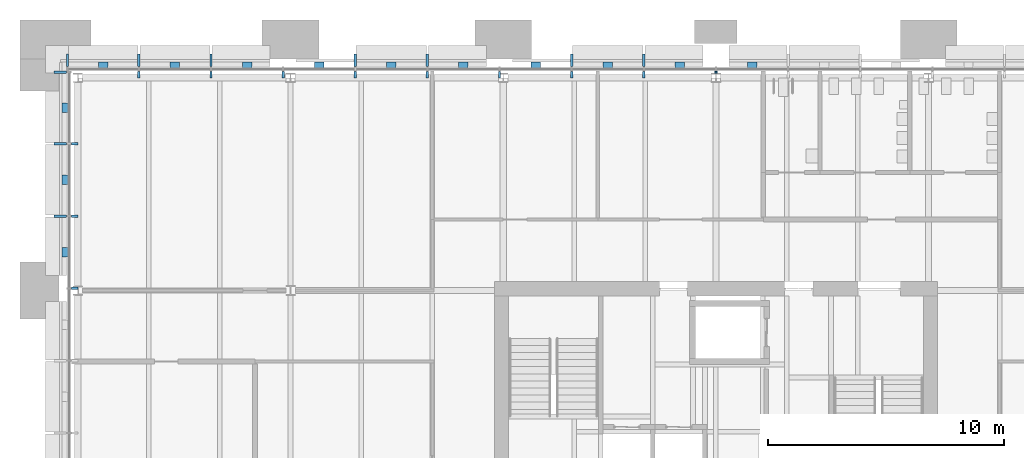
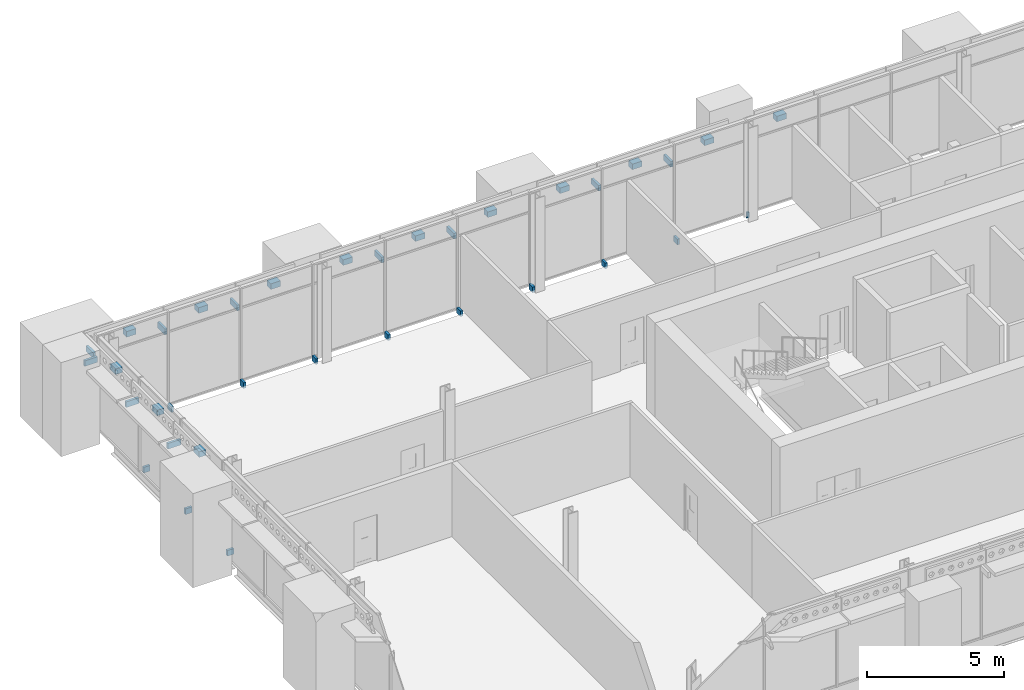
# One storey, part 35 of 54: 35 discrete accessories.
"""IFC4 building model written with IfcOpenShell, lengths in metres."""

from ifc_helpers import new_model, si_unit, direction, frame, origin, origin_2d, place, context, subcontext, project, spatial, rectangle, extrude, material, type_object, element, save


model = new_model("IFC4")

# Units and contexts
model_context = context("Model", 3, precision=1e-05, world=origin(), true_north=direction((0.0, 1.0)))
body_context = subcontext(model_context, "Body", "Model", "MODEL_VIEW")
ifc_project = project(units=[si_unit("LENGTHUNIT", "METRE"), si_unit("AREAUNIT", "SQUARE_METRE"), si_unit("VOLUMEUNIT", "CUBIC_METRE"), si_unit("PLANEANGLEUNIT", "RADIAN"), si_unit("MASSUNIT", "GRAM", prefix="KILO")], contexts=[model_context])

# Site, building, storey
site_placement = place(None, origin())
site = spatial("IfcSite", under=ifc_project, at=site_placement, CompositionType="ELEMENT")
building_placement = place(site_placement, origin())
building = spatial("IfcBuilding", under=site, at=building_placement, Name="Baradari Gate Terminus", CompositionType="ELEMENT")
storey_placement = place(building_placement, frame((0.0, 0.0, 15.89990234375)))
storey = spatial("IfcBuildingStorey", under=building, at=storey_placement, Name="L03", CompositionType="ELEMENT", Elevation=15.89990234375)

# Discrete accessories
ifc_material_1 = material(Name="Steel S275", Category="steel")
discrete_accessory_type_1 = type_object("IfcDiscreteAccessoryType", Name="Chhajja bracket BK-3 galvanised steel", PredefinedType="BRACKET", material=ifc_material_1)
for number, where, z_axis, x_axis, name in (
    (1, (8.5625, 144.739990234375, 3.08251953125), (0.0, 0.0, 1.0), (0.0, 1.0, 0.0), "Chhajja bracket BK-3 L03/TN mullion 1"),
    (2, (11.582275390625, 144.739990234375, 3.08251953125), (0.0, 0.0, 1.0), (0.0, 1.0, 0.0), "Chhajja bracket BK-3 L03/TN mullion 2"),
    (3, (14.634521484375, 144.739990234375, 3.08251953125), (0.0, 0.0, 1.0), (0.0, 1.0, 0.0), "Chhajja bracket BK-3 L03/TN mullion 3"),
    (4, (20.73876953125, 144.739990234375, 3.08251953125), (0.0, 0.0, 1.0), (0.0, 1.0, 0.0), "Chhajja bracket BK-3 L03/TN mullion 5"),
    (5, (23.791015625, 144.739990234375, 3.08251953125), (0.0, 0.0, 1.0), (0.0, 1.0, 0.0), "Chhajja bracket BK-3 L03/TN mullion 6"),
    (6, (29.8955078125, 144.739990234375, 3.08251953125), (0.0, 0.0, 1.0), (0.0, 1.0, 0.0), "Chhajja bracket BK-3 L03/TN mullion 8"),
    (7, (32.94775390625, 144.739990234375, 3.08251953125), (0.0, 0.0, 1.0), (0.0, 1.0, 0.0), "Chhajja bracket BK-3 L03/TN mullion 9"),
    (8, (8.260009765625, 138.14990234375, 3.08251953125), (0.0, 0.0, 1.0), (-1.0, 0.0, 0.0), "Chhajja bracket BK-3 L03/TW mullion 8"),
    (9, (8.260009765625, 141.2099609375, 3.08251953125), (0.0, 0.0, 1.0), (-1.0, 0.0, 0.0), "Chhajja bracket BK-3 L03/TW mullion 9"),
    (10, (8.260009765625, 144.237548828125, 3.08251953125), (0.0, 0.0, 1.0), (-1.0, 0.0, 0.0), "Chhajja bracket BK-3 L03/TW mullion 10"),
):
    element("IfcDiscreteAccessory", number, at=place(storey_placement, frame(where, z_axis=z_axis, x_axis=x_axis)), inside=storey, type_object=discrete_accessory_type_1, Name=name, PredefinedType="BRACKET", context=body_context, shape_type="SweptSolid", body=[
        extrude(rectangle(XDim=0.5400390625, YDim=0.10009765625, at=origin_2d()), origin(), (0.0, 0.0, 1.0), 0.25),
    ])
ifc_material_2 = material(Name="Aluminium 6063-T6", Category="aluminium")
discrete_accessory_type_2 = type_object("IfcDiscreteAccessoryType", Name="Curtain wall bracket BK-1 100x250", PredefinedType="BRACKET", material=ifc_material_2)
for number, where, z_axis, x_axis, name in (
    (11, (11.582275390625, 144.135009765625, -0.099853515625), (0.0, 0.0, 1.0), (0.0, 1.0, 0.0), "Curtain wall bracket BK-1 L03/TN mullion 2"),
    (12, (14.634521484375, 144.135009765625, -0.099853515625), (0.0, 0.0, 1.0), (0.0, 1.0, 0.0), "Curtain wall bracket BK-1 L03/TN mullion 3"),
    (13, (17.686767578125, 144.135009765625, -0.099853515625), (0.0, 0.0, 1.0), (0.0, 1.0, 0.0), "Curtain wall bracket BK-1 L03/TN mullion 4"),
    (14, (20.73876953125, 144.135009765625, -0.099853515625), (0.0, 0.0, 1.0), (0.0, 1.0, 0.0), "Curtain wall bracket BK-1 L03/TN mullion 5"),
    (15, (23.791015625, 144.135009765625, -0.099853515625), (0.0, 0.0, 1.0), (0.0, 1.0, 0.0), "Curtain wall bracket BK-1 L03/TN mullion 6"),
    (16, (26.84326171875, 144.135009765625, -0.099853515625), (0.0, 0.0, 1.0), (0.0, 1.0, 0.0), "Curtain wall bracket BK-1 L03/TN mullion 7"),
    (17, (29.8955078125, 144.135009765625, -0.099853515625), (0.0, 0.0, 1.0), (0.0, 1.0, 0.0), "Curtain wall bracket BK-1 L03/TN mullion 8"),
    (18, (32.94775390625, 144.135009765625, -0.099853515625), (0.0, 0.0, 1.0), (0.0, 1.0, 0.0), "Curtain wall bracket BK-1 L03/TN mullion 9"),
):
    element("IfcDiscreteAccessory", number, at=place(storey_placement, frame(where, z_axis=z_axis, x_axis=x_axis)), inside=storey, type_object=discrete_accessory_type_2, Name=name, PredefinedType="BRACKET", context=body_context, shape_type="SweptSolid", body=[
        extrude(rectangle(XDim=0.27001953125, YDim=0.10009765625, at=origin_2d()), origin(), (0.0, 0.0, 1.0), 0.25),
    ])
discrete_accessory_placement = place(storey_placement, frame((36.0, 144.230224609375, -0.099853515625), z_axis=(0.0, 0.0, 1.0), x_axis=(0.0, 1.0, 0.0)))
element("IfcDiscreteAccessory", 19, at=discrete_accessory_placement, inside=storey, type_object=discrete_accessory_type_2, Name="Curtain wall bracket BK-1 L03/TN mullion 10", PredefinedType="BRACKET", context=body_context, shape_type="SweptSolid", body=[
    extrude(rectangle(XDim=0.07958984375, YDim=0.10009765625, at=origin_2d()), origin(), (0.0, 0.0, 1.0), 0.25),
])
for number, where, z_axis, x_axis, name in (
    (20, (8.864990234375, 135.090087890625, -0.099853515625), (0.0, 0.0, 1.0), (-1.0, 0.0, 0.0), "Curtain wall bracket BK-1 L03/TW mullion 7"),
    (21, (8.864990234375, 138.14990234375, -0.099853515625), (0.0, 0.0, 1.0), (-1.0, 0.0, 0.0), "Curtain wall bracket BK-1 L03/TW mullion 8"),
    (22, (8.864990234375, 141.2099609375, -0.099853515625), (0.0, 0.0, 1.0), (-1.0, 0.0, 0.0), "Curtain wall bracket BK-1 L03/TW mullion 9"),
):
    element("IfcDiscreteAccessory", number, at=place(storey_placement, frame(where, z_axis=z_axis, x_axis=x_axis)), inside=storey, type_object=discrete_accessory_type_2, Name=name, PredefinedType="BRACKET", context=body_context, shape_type="SweptSolid", body=[
        extrude(rectangle(XDim=0.27001953125, YDim=0.10009765625, at=origin_2d()), origin(), (0.0, 0.0, 1.0), 0.25),
    ])
ifc_material_3 = material(Name="Stainless steel 316", Category="steel")
discrete_accessory_type_3 = type_object("IfcDiscreteAccessoryType", Name="Jali screen bracket BK-2 stainless steel", PredefinedType="BRACKET", material=ifc_material_3)
for number, where, z_axis, x_axis, name in (
    (23, (10.072265625, 144.527587890625, 3.60888671875), (0.0, 0.0, 1.0), (0.0, 1.0, 0.0), "Jali screen bracket BK-2 L03/TN bay 1"),
    (24, (13.1083984375, 144.527587890625, 3.60888671875), (0.0, 0.0, 1.0), (0.0, 1.0, 0.0), "Jali screen bracket BK-2 L03/TN bay 2"),
    (25, (16.16064453125, 144.527587890625, 3.60888671875), (0.0, 0.0, 1.0), (0.0, 1.0, 0.0), "Jali screen bracket BK-2 L03/TN bay 3"),
    (26, (19.212890625, 144.527587890625, 3.60888671875), (0.0, 0.0, 1.0), (0.0, 1.0, 0.0), "Jali screen bracket BK-2 L03/TN bay 4"),
    (27, (22.264892578125, 144.527587890625, 3.60888671875), (0.0, 0.0, 1.0), (0.0, 1.0, 0.0), "Jali screen bracket BK-2 L03/TN bay 5"),
    (28, (25.317138671875, 144.527587890625, 3.60888671875), (0.0, 0.0, 1.0), (0.0, 1.0, 0.0), "Jali screen bracket BK-2 L03/TN bay 6"),
    (29, (28.369384765625, 144.527587890625, 3.60888671875), (0.0, 0.0, 1.0), (0.0, 1.0, 0.0), "Jali screen bracket BK-2 L03/TN bay 7"),
    (30, (31.421630859375, 144.527587890625, 3.60888671875), (0.0, 0.0, 1.0), (0.0, 1.0, 0.0), "Jali screen bracket BK-2 L03/TN bay 8"),
    (31, (34.473876953125, 144.527587890625, 3.60888671875), (0.0, 0.0, 1.0), (0.0, 1.0, 0.0), "Jali screen bracket BK-2 L03/TN bay 9"),
    (32, (37.526123046875, 144.527587890625, 3.60888671875), (0.0, 0.0, 1.0), (0.0, 1.0, 0.0), "Jali screen bracket BK-2 L03/TN bay 10"),
    (33, (8.472412109375, 136.6201171875, 3.60888671875), (0.0, 0.0, 1.0), (-1.0, 0.0, 0.0), "Jali screen bracket BK-2 L03/TW bay 7"),
    (34, (8.472412109375, 139.679931640625, 3.60888671875), (0.0, 0.0, 1.0), (-1.0, 0.0, 0.0), "Jali screen bracket BK-2 L03/TW bay 8"),
    (35, (8.472412109375, 142.7236328125, 3.60888671875), (0.0, 0.0, 1.0), (-1.0, 0.0, 0.0), "Jali screen bracket BK-2 L03/TW bay 9"),
):
    element("IfcDiscreteAccessory", number, at=place(storey_placement, frame(where, z_axis=z_axis, x_axis=x_axis)), inside=storey, type_object=discrete_accessory_type_3, Name=name, PredefinedType="BRACKET", context=body_context, shape_type="SweptSolid", body=[
        extrude(rectangle(XDim=0.284912109375, YDim=0.39990234375, at=origin_2d()), origin(), (0.0, 0.0, 1.0), 0.25),
    ])

save(model, "model.ifc")
